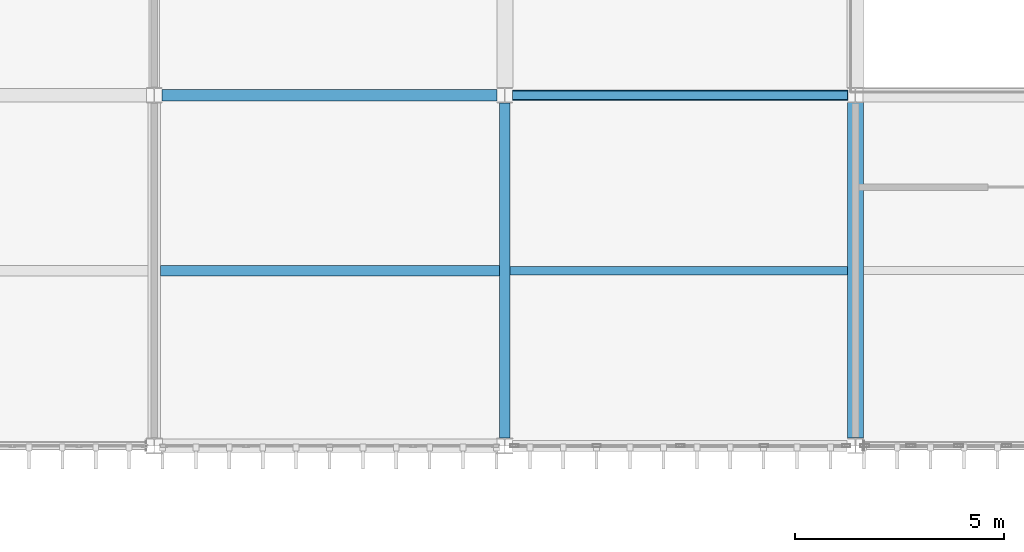
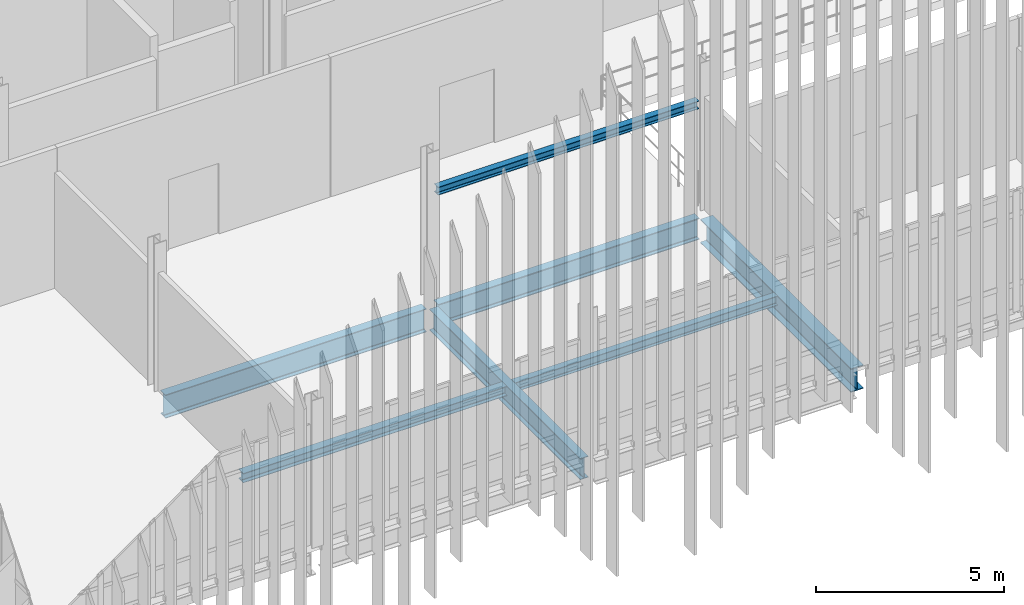
# One storey, part 20 of 153: 7 beams.
"""IFC4 building model written with IfcOpenShell, lengths in metres."""

from ifc_helpers import new_model, si_unit, direction, frame, origin, origin_2d, place, context, subcontext, project, spatial, i_section, extrude, material, material_profile, profile_set, type_object, element, save


model = new_model("IFC4")

# Units and contexts
model_context = context("Model", 3, precision=1e-05, world=origin(), true_north=direction((0.0, 1.0)))
body_context = subcontext(model_context, "Body", "Model", "MODEL_VIEW")
ifc_project = project(units=[si_unit("LENGTHUNIT", "METRE"), si_unit("AREAUNIT", "SQUARE_METRE"), si_unit("VOLUMEUNIT", "CUBIC_METRE"), si_unit("PLANEANGLEUNIT", "RADIAN"), si_unit("MASSUNIT", "GRAM", prefix="KILO")], contexts=[model_context])

# Site, building, storey
site_placement = place(None, origin())
site = spatial("IfcSite", under=ifc_project, at=site_placement, CompositionType="ELEMENT")
building_placement = place(site_placement, origin())
building = spatial("IfcBuilding", under=site, at=building_placement, Name="Calvrana Isthmian Art Gallery", CompositionType="ELEMENT")
storey_placement = place(building_placement, frame((0.0, 0.0, 10.199951171875)))
storey = spatial("IfcBuildingStorey", under=building, at=storey_placement, Name="L02", CompositionType="ELEMENT", Elevation=10.199951171875)

# Beams
ifc_material = material(Name="Steel ASTM A992 Gr 50", Category="steel")
ifc_material_profile_1 = material_profile(ifc_material, i_section(OverallWidth=0.257080078125, OverallDepth=0.693115234375, WebThickness=0.014404296875, FlangeThickness=0.023681640625, FilletRadius=0.02392578125, at=origin_2d()), Name="W27X114")
ifc_profile_set_1 = profile_set([ifc_material_profile_1], Name="Steel ASTM A992 Gr 50")
beam_type_1 = type_object("IfcBeamType", Name="BM-G-W27X114", PredefinedType="BEAM", material=ifc_profile_set_1)
beam_1_placement = place(storey_placement, frame((38.58544921875, 30.0, -0.611572265625), z_axis=(1.0, 0.0, 0.0), x_axis=(0.0, 1.0, 0.0)))
element("IfcBeam", 1, at=beam_1_placement, inside=storey, type_object=beam_type_1, Name="Girder X L02 06-07/E", PredefinedType="BEAM", context=body_context, shape_type="SweptSolid", body=[
    extrude(i_section(OverallWidth=0.257080078125, OverallDepth=0.693115234375, WebThickness=0.014404296875, FlangeThickness=0.023681640625, FilletRadius=0.02392578125, at=origin_2d()), origin(), (0.0, 0.0, 1.0), 8.030517578125),
])
beam_2_placement = place(storey_placement, frame((38.39990234375, 21.78662109375, -0.611572265625), z_axis=(0.0, 1.0, 0.0), x_axis=(-1.0, 0.0, 0.0)))
element("IfcBeam", 2, at=beam_2_placement, inside=storey, type_object=beam_type_1, Name="Girder Y L02 06/D-E", PredefinedType="BEAM", context=body_context, shape_type="SweptSolid", body=[
    extrude(i_section(OverallWidth=0.257080078125, OverallDepth=0.693115234375, WebThickness=0.014404296875, FlangeThickness=0.023681640625, FilletRadius=0.02392578125, at=origin_2d()), origin(), (0.0, 0.0, 1.0), 8.031982421875),
])
ifc_material_profile_2 = material_profile(ifc_material, i_section(OverallWidth=0.26708984375, OverallDepth=0.761962890625, WebThickness=0.014404296875, FlangeThickness=0.021484375, FilletRadius=0.02490234375, at=origin_2d()), Name="W30X116")
ifc_profile_set_2 = profile_set([ifc_material_profile_2], Name="Steel ASTM A992 Gr 50")
beam_type_2 = type_object("IfcBeamType", Name="BM-G-W30X116", PredefinedType="BEAM", material=ifc_profile_set_2)
beam_3_placement = place(storey_placement, frame((30.1865234375, 30.0, -0.64599609375), z_axis=(1.0, 0.0, 0.0), x_axis=(0.0, 1.0, 0.0)))
element("IfcBeam", 3, at=beam_3_placement, inside=storey, type_object=beam_type_2, Name="Girder X L02 05-06/E", PredefinedType="BEAM", context=body_context, shape_type="SweptSolid", body=[
    extrude(i_section(OverallWidth=0.26708984375, OverallDepth=0.761962890625, WebThickness=0.014404296875, FlangeThickness=0.021484375, FilletRadius=0.02490234375, at=origin_2d()), origin(), (0.0, 0.0, 1.0), 8.028076171875),
])
ifc_material_profile_3 = material_profile(ifc_material, i_section(OverallWidth=0.381103515625, OverallDepth=0.77197265625, WebThickness=0.0166015625, FlangeThickness=0.027099609375, FilletRadius=0.02490234375, at=origin_2d()), Name="W30X173")
ifc_profile_set_3 = profile_set([ifc_material_profile_3], Name="Steel ASTM A992 Gr 50")
beam_type_3 = type_object("IfcBeamType", Name="BM-G-W30X173", PredefinedType="BEAM", material=ifc_profile_set_3)
beam_4_placement = place(storey_placement, frame((46.800048828125, 21.79296875, -0.65087890625), z_axis=(0.0, 1.0, 0.0), x_axis=(-1.0, 0.0, 0.0)))
element("IfcBeam", 4, at=beam_4_placement, inside=storey, type_object=beam_type_3, Name="Girder Y L02 07/D-E", PredefinedType="BEAM", context=body_context, shape_type="SweptSolid", body=[
    extrude(i_section(OverallWidth=0.381103515625, OverallDepth=0.77197265625, WebThickness=0.0166015625, FlangeThickness=0.027099609375, FilletRadius=0.02490234375, at=origin_2d()), origin(), (0.0, 0.0, 1.0), 8.029052734375),
])
ifc_material_profile_4 = material_profile(ifc_material, i_section(OverallWidth=0.202880859375, OverallDepth=0.302001953125, WebThickness=0.007568359375, FlangeThickness=0.01318359375, FilletRadius=0.01611328125, at=origin_2d()), Name="W12X40")
ifc_profile_set_4 = profile_set([ifc_material_profile_4], Name="Steel ASTM A992 Gr 50")
beam_type_4 = type_object("IfcBeamType", Name="BM-J-W12X40", PredefinedType="JOIST", material=ifc_profile_set_4)
beam_5_placement = place(storey_placement, frame((38.528564453125, 25.800048828125, -0.416015625), z_axis=(1.0, 0.0, 0.0), x_axis=(0.0, 1.0, 0.0)))
element("IfcBeam", 5, at=beam_5_placement, inside=storey, type_object=beam_type_4, Name="Composite joist L02 bay 05-03", PredefinedType="JOIST", context=body_context, shape_type="SweptSolid", body=[
    extrude(i_section(OverallWidth=0.202880859375, OverallDepth=0.302001953125, WebThickness=0.007568359375, FlangeThickness=0.01318359375, FilletRadius=0.01611328125, at=origin_2d()), origin(), (0.0, 0.0, 1.0), 8.0810546875),
])
ifc_material_profile_5 = material_profile(ifc_material, i_section(OverallWidth=0.25390625, OverallDepth=0.306884765625, WebThickness=0.0087890625, FlangeThickness=0.0146484375, FilletRadius=0.01611328125, at=origin_2d()), Name="W12X53")
ifc_profile_set_5 = profile_set([ifc_material_profile_5], Name="Steel ASTM A992 Gr 50")
beam_type_5 = type_object("IfcBeamType", Name="BM-J-W12X53", PredefinedType="JOIST", material=ifc_profile_set_5)
beam_6_placement = place(storey_placement, frame((30.153564453125, 25.800048828125, -0.41845703125), z_axis=(1.0, 0.0, 0.0), x_axis=(0.0, 1.0, 0.0)))
element("IfcBeam", 6, at=beam_6_placement, inside=storey, type_object=beam_type_5, Name="Composite joist L02 bay 04-03", PredefinedType="JOIST", context=body_context, shape_type="SweptSolid", body=[
    extrude(i_section(OverallWidth=0.25390625, OverallDepth=0.306884765625, WebThickness=0.0087890625, FlangeThickness=0.0146484375, FilletRadius=0.01611328125, at=origin_2d()), origin(), (0.0, 0.0, 1.0), 8.117919921875),
])
ifc_material_profile_6 = material_profile(ifc_material, i_section(OverallWidth=0.2041015625, OverallDepth=0.257080078125, WebThickness=0.0087890625, FlangeThickness=0.015625, FilletRadius=0.014892578125, at=origin_2d()), Name="W10X45")
ifc_profile_set_6 = profile_set([ifc_material_profile_6], Name="Steel ASTM A992 Gr 50")
beam_type_6 = type_object("IfcBeamType", Name="BM-LN-W10X45", PredefinedType="LINTEL", material=ifc_profile_set_6)
beam_7_placement = place(storey_placement, frame((38.58642578125, 30.0, 3.400146484375), z_axis=(1.0, 0.0, 0.0), x_axis=(0.0, 1.0, 0.0)))
element("IfcBeam", 7, at=beam_7_placement, inside=storey, type_object=beam_type_6, Name="Portal lintel beam L02-07", PredefinedType="LINTEL", context=body_context, shape_type="SweptSolid", body=[
    extrude(i_section(OverallWidth=0.2041015625, OverallDepth=0.257080078125, WebThickness=0.0087890625, FlangeThickness=0.015625, FilletRadius=0.014892578125, at=origin_2d()), origin(), (0.0, 0.0, 1.0), 8.028076171875),
])

save(model, "model.ifc")
